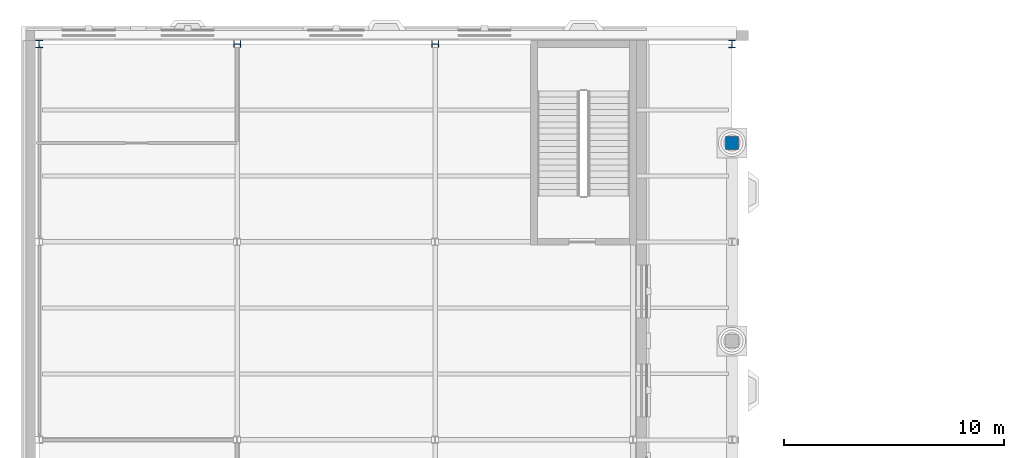
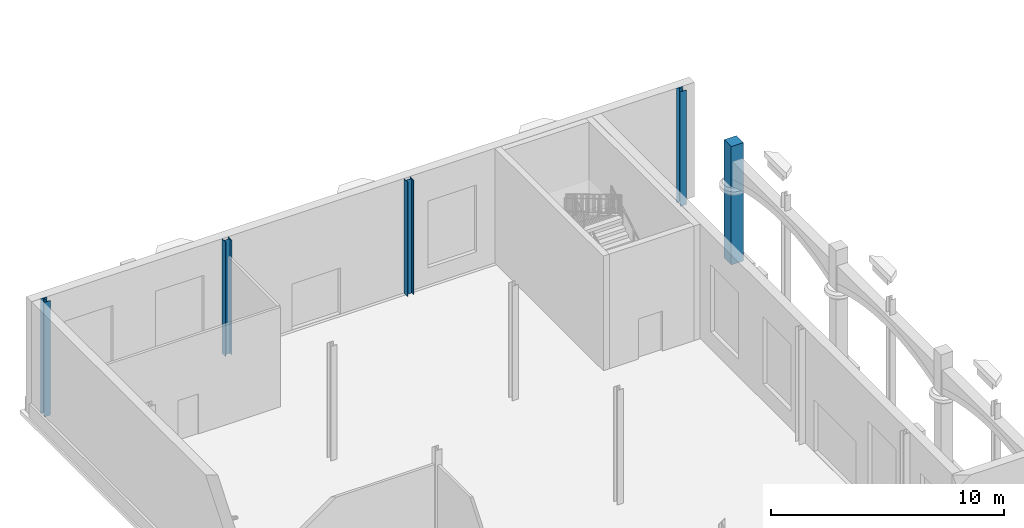
# One storey, part 23 of 106: 5 columns.
"""IFC4 building model written with IfcOpenShell, lengths in metres."""

from ifc_helpers import new_model, si_unit, direction, frame, origin, origin_2d, place, context, subcontext, project, spatial, rectangle, i_section, extrude, material, material_profile, profile_set, type_object, element, save


model = new_model("IFC4")

# Units and contexts
model_context = context("Model", 3, precision=1e-05, world=origin(), true_north=direction((0.0, 1.0)))
body_context = subcontext(model_context, "Body", "Model", "MODEL_VIEW")
ifc_project = project(units=[si_unit("LENGTHUNIT", "METRE"), si_unit("AREAUNIT", "SQUARE_METRE"), si_unit("VOLUMEUNIT", "CUBIC_METRE"), si_unit("PLANEANGLEUNIT", "RADIAN"), si_unit("MASSUNIT", "GRAM", prefix="KILO")], contexts=[model_context])

# Site, building, storey
site_placement = place(None, origin())
site = spatial("IfcSite", under=ifc_project, at=site_placement, CompositionType="ELEMENT")
building_placement = place(site_placement, origin())
building = spatial("IfcBuilding", under=site, at=building_placement, Name="Hortulan Conservatory and Botanical Research Centre", CompositionType="ELEMENT")
storey_placement = place(building_placement, origin())
storey = spatial("IfcBuildingStorey", under=building, at=storey_placement, Name="L00", CompositionType="ELEMENT", Elevation=0.0)

# Columns
ifc_material_1 = material(Name="Sandstone masonry (25 MPa, AS 3700)", Category="masonry")
ifc_material_profile_1 = material_profile(ifc_material_1, rectangle(XDim=0.60009765625, YDim=0.60009765625, at=origin_2d()), Name="Square pier 600")
ifc_profile_set_1 = profile_set([ifc_material_profile_1], Name="Sandstone masonry (25 MPa, AS 3700)")
column_type_1 = type_object("IfcColumnType", Name="Sandstone Arcade Pier 600x600", PredefinedType="COLUMN", material=ifc_profile_set_1)
column_placement = place(storey_placement, frame((31.5, 67.5, -0.199951171875), z_axis=(0.0, 0.0, 1.0), x_axis=(1.0, 0.0, 0.0)))
element("IfcColumn", 1, at=column_placement, inside=storey, type_object=column_type_1, Name="Sandstone arcade pier P-31.5-67.5 L00", PredefinedType="COLUMN", context=body_context, shape_type="SweptSolid", body=[
    extrude(rectangle(XDim=0.60009765625, YDim=0.60009765625, at=origin_2d()), origin(), (0.0, 0.0, 1.0), 6.199951171875),
])
ifc_material_2 = material(Name="Steel Grade 300PLUS (AS/NZS 3679.1, 280 MPa minimum yield)", Category="steel")
ifc_material_profile_2 = material_profile(ifc_material_2, i_section(OverallWidth=0.30908203125, OverallDepth=0.321044921875, WebThickness=0.013916015625, FlangeThickness=0.021728515625, FilletRadius=0.0166015625, at=origin_2d()), Name="310UC137")
ifc_profile_set_2 = profile_set([ifc_material_profile_2], Name="Steel Grade 300PLUS (AS/NZS 3679.1, 280 MPa minimum yield)")
column_type_2 = type_object("IfcColumnType", Name="Visitor Centre Column 310UC137", PredefinedType="COLUMN", material=ifc_profile_set_2)
for number, where, z_axis, x_axis, name in (
    (2, (0.0, 72.0, 0.0), (0.0, 0.0, 1.0), (1.0, 0.0, 0.0), "310UC137 column"),
    (3, (9.0, 72.0, 0.0), (0.0, 0.0, 1.0), (0.0, 1.0, 0.0), "310UC137 column"),
    (4, (18.0, 72.0, 0.0), (0.0, 0.0, 1.0), (0.0, 1.0, 0.0), "310UC137 column"),
    (5, (31.5, 72.0, 0.0), (0.0, 0.0, 1.0), (1.0, 0.0, 0.0), "310UC137 column"),
):
    element("IfcColumn", number, at=place(storey_placement, frame(where, z_axis=z_axis, x_axis=x_axis)), inside=storey, type_object=column_type_2, Name=name, PredefinedType="COLUMN", context=body_context, shape_type="SweptSolid", body=[
        extrude(i_section(OverallWidth=0.30908203125, OverallDepth=0.321044921875, WebThickness=0.013916015625, FlangeThickness=0.021728515625, FilletRadius=0.0166015625, at=origin_2d()), origin(), (0.0, 0.0, 1.0), 6.0),
    ])

save(model, "model.ifc")
